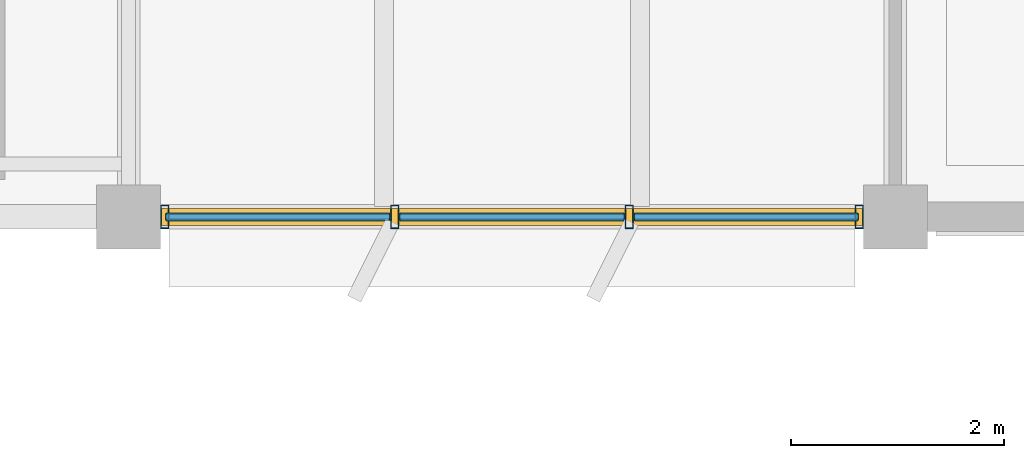
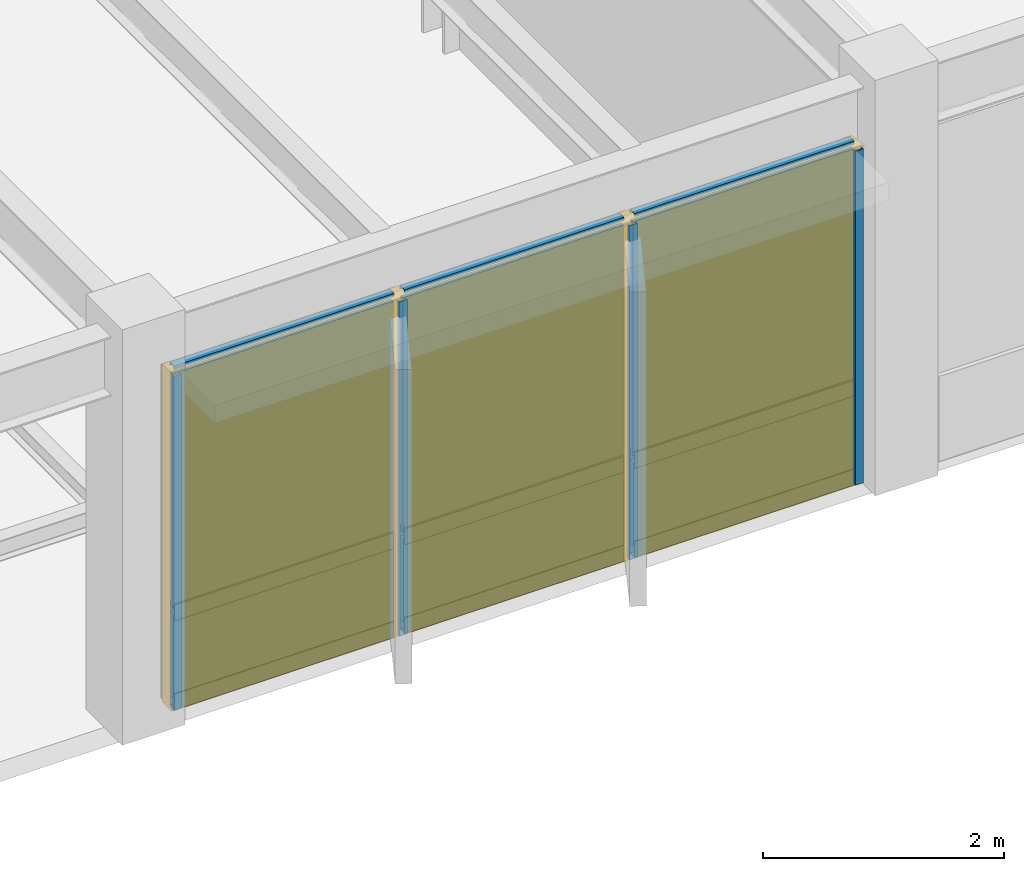
# One storey, part 58 of 85: 13 members, 6 plates, 1 curtain wall.
"""IFC4 building model written with IfcOpenShell, lengths in metres."""

from ifc_helpers import new_model, si_unit, direction, frame, origin, origin_2d, place, context, subcontext, project, spatial, rectangle, hollow_rectangle, extrude, material, layer, layer_set, material_profile, profile_set, type_object, element, aggregate, save


model = new_model("IFC4")

# Units and contexts
model_context = context("Model", 3, precision=1e-05, world=origin(), true_north=direction((0.0, 1.0)))
body_context = subcontext(model_context, "Body", "Model", "MODEL_VIEW")
ifc_project = project(units=[si_unit("LENGTHUNIT", "METRE"), si_unit("AREAUNIT", "SQUARE_METRE"), si_unit("VOLUMEUNIT", "CUBIC_METRE"), si_unit("PLANEANGLEUNIT", "RADIAN"), si_unit("MASSUNIT", "GRAM", prefix="KILO")], contexts=[model_context])

# Member
ifc_material_1 = material(Name="Anodized Aluminium 6063-T6", Category="aluminium")
ifc_material_profile_1 = material_profile(ifc_material_1, hollow_rectangle(XDim=0.074951171875, YDim=0.219970703125, WallThickness=0.0048828125, at=origin_2d()), Name="ALU 75x220x5")
ifc_profile_set_1 = profile_set([ifc_material_profile_1], Name="Anodized Aluminium 6063-T6")
member_type_1 = type_object("IfcMemberType", Name="CWM-75X180", PredefinedType="MULLION", material=ifc_profile_set_1)
site_placement = place(None, origin())
building_placement = place(site_placement, origin())
storey_placement = place(building_placement, frame((0.0, 0.0, 9.89990234375)))
member_1_placement = place(storey_placement, frame((100.4599609375, 79.199951171875, 0.02001953125), z_axis=(0.0, 0.0, 1.0), x_axis=(1.0, 0.0, 0.0)))
member_1 = element("IfcMember", 1, at=member_1_placement, type_object=member_type_1, Name="Curtain wall mullion CW-L03-13-11-S-00", PredefinedType="MULLION", context=body_context, shape_type="SweptSolid", body=[
    extrude(hollow_rectangle(XDim=0.074951171875, YDim=0.219970703125, WallThickness=0.0048828125, at=origin_2d()), origin(), (0.0, 0.0, 1.0), 3.378173828125),
])

member_2_placement = place(storey_placement, frame((98.300048828125, 79.199951171875, 0.02001953125), z_axis=(0.0, 0.0, 1.0), x_axis=(1.0, 0.0, 0.0)))
member_2 = element("IfcMember", 2, at=member_2_placement, type_object=member_type_1, Name="Curtain wall mullion CW-L03-13-11-S-01", PredefinedType="MULLION", context=body_context, shape_type="SweptSolid", body=[
    extrude(hollow_rectangle(XDim=0.074951171875, YDim=0.219970703125, WallThickness=0.0048828125, at=origin_2d()), origin(), (0.0, 0.0, 1.0), 3.378173828125),
])

member_3_placement = place(storey_placement, frame((96.10009765625, 79.199951171875, 0.02001953125), z_axis=(0.0, 0.0, 1.0), x_axis=(1.0, 0.0, 0.0)))
member_3 = element("IfcMember", 3, at=member_3_placement, type_object=member_type_1, Name="Curtain wall mullion CW-L03-13-11-S-02", PredefinedType="MULLION", context=body_context, shape_type="SweptSolid", body=[
    extrude(hollow_rectangle(XDim=0.074951171875, YDim=0.219970703125, WallThickness=0.0048828125, at=origin_2d()), origin(), (0.0, 0.0, 1.0), 3.378173828125),
])

member_4_placement = place(storey_placement, frame((93.93994140625, 79.199951171875, 0.02001953125), z_axis=(0.0, 0.0, 1.0), x_axis=(1.0, 0.0, 0.0)))
member_4 = element("IfcMember", 4, at=member_4_placement, type_object=member_type_1, Name="Curtain wall mullion CW-L03-13-11-S-03", PredefinedType="MULLION", context=body_context, shape_type="SweptSolid", body=[
    extrude(hollow_rectangle(XDim=0.074951171875, YDim=0.219970703125, WallThickness=0.0048828125, at=origin_2d()), origin(), (0.0, 0.0, 1.0), 3.378173828125),
])

ifc_material_profile_2 = material_profile(ifc_material_1, hollow_rectangle(XDim=0.074951171875, YDim=0.159912109375, WallThickness=0.00390625, at=origin_2d()), Name="ALU 75x160x4")
ifc_profile_set_2 = profile_set([ifc_material_profile_2], Name="Anodized Aluminium 6063-T6")
member_type_2 = type_object("IfcMemberType", Name="CWT-75X150", PredefinedType="USERDEFINED", material=ifc_profile_set_2)
member_5_placement = place(storey_placement, frame((100.449951171875, 79.199951171875, 0.050048828125), z_axis=(-1.0, 0.0, 0.0), x_axis=(0.0, -1.0, 0.0)))
member_5 = element("IfcMember", 5, at=member_5_placement, type_object=member_type_2, Name="Curtain wall transom CW-L03-13-11-S-1.01", ObjectType="TRANSOM", PredefinedType="USERDEFINED", context=body_context, shape_type="SweptSolid", body=[
    extrude(hollow_rectangle(XDim=0.074951171875, YDim=0.159912109375, WallThickness=0.00390625, at=origin_2d()), origin(), (0.0, 0.0, 1.0), 2.099853515625),
])

member_6_placement = place(storey_placement, frame((98.25, 79.199951171875, 0.050048828125), z_axis=(-1.0, 0.0, 0.0), x_axis=(0.0, -1.0, 0.0)))
member_6 = element("IfcMember", 6, at=member_6_placement, type_object=member_type_2, Name="Curtain wall transom CW-L03-13-11-S-1.02", ObjectType="TRANSOM", PredefinedType="USERDEFINED", context=body_context, shape_type="SweptSolid", body=[
    extrude(hollow_rectangle(XDim=0.074951171875, YDim=0.159912109375, WallThickness=0.00390625, at=origin_2d()), origin(), (0.0, 0.0, 1.0), 2.10009765625),
])

member_7_placement = place(storey_placement, frame((96.050048828125, 79.199951171875, 0.050048828125), z_axis=(-1.0, 0.0, 0.0), x_axis=(0.0, -1.0, 0.0)))
member_7 = element("IfcMember", 7, at=member_7_placement, type_object=member_type_2, Name="Curtain wall transom CW-L03-13-11-S-1.03", ObjectType="TRANSOM", PredefinedType="USERDEFINED", context=body_context, shape_type="SweptSolid", body=[
    extrude(hollow_rectangle(XDim=0.074951171875, YDim=0.159912109375, WallThickness=0.00390625, at=origin_2d()), origin(), (0.0, 0.0, 1.0), 2.10009765625),
])

member_8_placement = place(storey_placement, frame((100.449951171875, 79.199951171875, 0.9501953125), z_axis=(-1.0, 0.0, 0.0), x_axis=(0.0, -1.0, 0.0)))
member_8 = element("IfcMember", 8, at=member_8_placement, type_object=member_type_2, Name="Curtain wall transom CW-L03-13-11-S-2.01", ObjectType="TRANSOM", PredefinedType="USERDEFINED", context=body_context, shape_type="SweptSolid", body=[
    extrude(hollow_rectangle(XDim=0.074951171875, YDim=0.159912109375, WallThickness=0.00390625, at=origin_2d()), origin(), (0.0, 0.0, 1.0), 2.099853515625),
])

member_9_placement = place(storey_placement, frame((98.25, 79.199951171875, 0.9501953125), z_axis=(-1.0, 0.0, 0.0), x_axis=(0.0, -1.0, 0.0)))
member_9 = element("IfcMember", 9, at=member_9_placement, type_object=member_type_2, Name="Curtain wall transom CW-L03-13-11-S-2.02", ObjectType="TRANSOM", PredefinedType="USERDEFINED", context=body_context, shape_type="SweptSolid", body=[
    extrude(hollow_rectangle(XDim=0.074951171875, YDim=0.159912109375, WallThickness=0.00390625, at=origin_2d()), origin(), (0.0, 0.0, 1.0), 2.10009765625),
])

member_10_placement = place(storey_placement, frame((96.050048828125, 79.199951171875, 0.9501953125), z_axis=(-1.0, 0.0, 0.0), x_axis=(0.0, -1.0, 0.0)))
member_10 = element("IfcMember", 10, at=member_10_placement, type_object=member_type_2, Name="Curtain wall transom CW-L03-13-11-S-2.03", ObjectType="TRANSOM", PredefinedType="USERDEFINED", context=body_context, shape_type="SweptSolid", body=[
    extrude(hollow_rectangle(XDim=0.074951171875, YDim=0.159912109375, WallThickness=0.00390625, at=origin_2d()), origin(), (0.0, 0.0, 1.0), 2.10009765625),
])

member_11_placement = place(storey_placement, frame((100.449951171875, 79.199951171875, 3.3681640625), z_axis=(-1.0, 0.0, 0.0), x_axis=(0.0, -1.0, 0.0)))
member_11 = element("IfcMember", 11, at=member_11_placement, type_object=member_type_2, Name="Curtain wall transom CW-L03-13-11-S-3.01", ObjectType="TRANSOM", PredefinedType="USERDEFINED", context=body_context, shape_type="SweptSolid", body=[
    extrude(hollow_rectangle(XDim=0.074951171875, YDim=0.159912109375, WallThickness=0.00390625, at=origin_2d()), origin(), (0.0, 0.0, 1.0), 2.099853515625),
])

member_12_placement = place(storey_placement, frame((98.25, 79.199951171875, 3.3681640625), z_axis=(-1.0, 0.0, 0.0), x_axis=(0.0, -1.0, 0.0)))
member_12 = element("IfcMember", 12, at=member_12_placement, type_object=member_type_2, Name="Curtain wall transom CW-L03-13-11-S-3.02", ObjectType="TRANSOM", PredefinedType="USERDEFINED", context=body_context, shape_type="SweptSolid", body=[
    extrude(hollow_rectangle(XDim=0.074951171875, YDim=0.159912109375, WallThickness=0.00390625, at=origin_2d()), origin(), (0.0, 0.0, 1.0), 2.10009765625),
])

member_13_placement = place(storey_placement, frame((96.050048828125, 79.199951171875, 3.3681640625), z_axis=(-1.0, 0.0, 0.0), x_axis=(0.0, -1.0, 0.0)))
member_13 = element("IfcMember", 13, at=member_13_placement, type_object=member_type_2, Name="Curtain wall transom CW-L03-13-11-S-3.03", ObjectType="TRANSOM", PredefinedType="USERDEFINED", context=body_context, shape_type="SweptSolid", body=[
    extrude(hollow_rectangle(XDim=0.074951171875, YDim=0.159912109375, WallThickness=0.00390625, at=origin_2d()), origin(), (0.0, 0.0, 1.0), 2.10009765625),
])

# Plate
ifc_material_2 = material(Name="Acoustic Laminated Low-E Glazing", Category="glass")
ifc_layer_1 = layer(ifc_material_2, 0.0439453125)
ifc_layer_set_1 = layer_set([ifc_layer_1], Name="Acoustic Laminated Low-E Glazing")
plate_type_1 = type_object("IfcPlateType", Name="CWP-IGU-44", PredefinedType="CURTAIN_PANEL", material=ifc_layer_set_1)
plate_1_placement = place(storey_placement, frame((99.39990234375, 79.199951171875, 0.990234375), z_axis=(0.0, 0.0, 1.0), x_axis=(-1.0, 0.0, 0.0)))
plate_1 = element("IfcPlate", 14, at=plate_1_placement, type_object=plate_type_1, Name="Curtain wall vision glazing CW-L03-13-11-S-01", PredefinedType="CURTAIN_PANEL", context=body_context, shape_type="SweptSolid", body=[
    extrude(rectangle(XDim=2.110107421875, YDim=0.0400390625, at=origin_2d()), origin(), (0.0, 0.0, 1.0), 2.367919921875),
])

plate_2_placement = place(storey_placement, frame((97.199951171875, 79.199951171875, 0.990234375), z_axis=(0.0, 0.0, 1.0), x_axis=(-1.0, 0.0, 0.0)))
plate_2 = element("IfcPlate", 15, at=plate_2_placement, type_object=plate_type_1, Name="Curtain wall vision glazing CW-L03-13-11-S-02", PredefinedType="CURTAIN_PANEL", context=body_context, shape_type="SweptSolid", body=[
    extrude(rectangle(XDim=2.110107421875, YDim=0.0400390625, at=origin_2d()), origin(), (0.0, 0.0, 1.0), 2.367919921875),
])

plate_3_placement = place(storey_placement, frame((95.0, 79.199951171875, 0.990234375), z_axis=(0.0, 0.0, 1.0), x_axis=(-1.0, 0.0, 0.0)))
plate_3 = element("IfcPlate", 16, at=plate_3_placement, type_object=plate_type_1, Name="Curtain wall vision glazing CW-L03-13-11-S-03", PredefinedType="CURTAIN_PANEL", context=body_context, shape_type="SweptSolid", body=[
    extrude(rectangle(XDim=2.110107421875, YDim=0.0400390625, at=origin_2d()), origin(), (0.0, 0.0, 1.0), 2.367919921875),
])

ifc_material_3 = material(Name="Insulated Stone-Composite Spandrel", Category="masonry")
ifc_layer_2 = layer(ifc_material_3, 0.068115234375)
ifc_layer_set_2 = layer_set([ifc_layer_2], Name="Insulated Stone-Composite Spandrel")
plate_type_2 = type_object("IfcPlateType", Name="CWP-SPN-68", PredefinedType="CURTAIN_PANEL", material=ifc_layer_set_2)
plate_4_placement = place(storey_placement, frame((99.39990234375, 79.199951171875, 0.080078125), z_axis=(0.0, 0.0, 1.0), x_axis=(-1.0, 0.0, 0.0)))
plate_4 = element("IfcPlate", 17, at=plate_4_placement, type_object=plate_type_2, Name="Curtain wall spandrel panel CW-L03-13-11-S-01", PredefinedType="CURTAIN_PANEL", context=body_context, shape_type="SweptSolid", body=[
    extrude(rectangle(XDim=2.110107421875, YDim=0.06005859375, at=origin_2d()), origin(), (0.0, 0.0, 1.0), 0.840087890625),
])

plate_5_placement = place(storey_placement, frame((97.199951171875, 79.199951171875, 0.080078125), z_axis=(0.0, 0.0, 1.0), x_axis=(-1.0, 0.0, 0.0)))
plate_5 = element("IfcPlate", 18, at=plate_5_placement, type_object=plate_type_2, Name="Curtain wall spandrel panel CW-L03-13-11-S-02", PredefinedType="CURTAIN_PANEL", context=body_context, shape_type="SweptSolid", body=[
    extrude(rectangle(XDim=2.110107421875, YDim=0.06005859375, at=origin_2d()), origin(), (0.0, 0.0, 1.0), 0.840087890625),
])

plate_6_placement = place(storey_placement, frame((95.0, 79.199951171875, 0.080078125), z_axis=(0.0, 0.0, 1.0), x_axis=(-1.0, 0.0, 0.0)))
plate_6 = element("IfcPlate", 19, at=plate_6_placement, type_object=plate_type_2, Name="Curtain wall spandrel panel CW-L03-13-11-S-03", PredefinedType="CURTAIN_PANEL", context=body_context, shape_type="SweptSolid", body=[
    extrude(rectangle(XDim=2.110107421875, YDim=0.06005859375, at=origin_2d()), origin(), (0.0, 0.0, 1.0), 0.840087890625),
])

# Site, building, storey
site = spatial("IfcSite", under=ifc_project, at=site_placement, CompositionType="ELEMENT")
building = spatial("IfcBuilding", under=site, at=building_placement, Name="Sillqori Civic Hall", CompositionType="ELEMENT")
storey = spatial("IfcBuildingStorey", under=building, at=storey_placement, Name="L03", CompositionType="ELEMENT", Elevation=9.89990234375)

# Curtain wall
ifc_material_4 = material(Name="Anodized Aluminium Curtain Wall System", Category="aluminium")
curtain_wall_type = type_object("IfcCurtainWallType", Name="CW-GL-400", PredefinedType="NOTDEFINED", material=ifc_material_4)
curtain_wall_placement = place(storey_placement, frame((97.199951171875, 79.199951171875, 0.0), z_axis=(0.0, 0.0, 1.0), x_axis=(-1.0, 0.0, 0.0)))
curtain_wall = element("IfcCurtainWall", 20, at=curtain_wall_placement, inside=storey, type_object=curtain_wall_type, Name="L03 unitised curtain wall CW-L03-13-11-S", PredefinedType="NOTDEFINED", context=body_context, shape_type="SweptSolid", body=[
    extrude(rectangle(XDim=6.60009765625, YDim=0.159912109375, at=origin_2d()), origin(), (0.0, 0.0, 1.0), 3.41796875),
])

aggregate(curtain_wall, [member_1, member_2, member_3, member_4, member_5, member_6, member_7, member_8, member_9, member_10, member_11, member_12, member_13, plate_4, plate_1, plate_5, plate_2, plate_6, plate_3])

save(model, "model.ifc")
